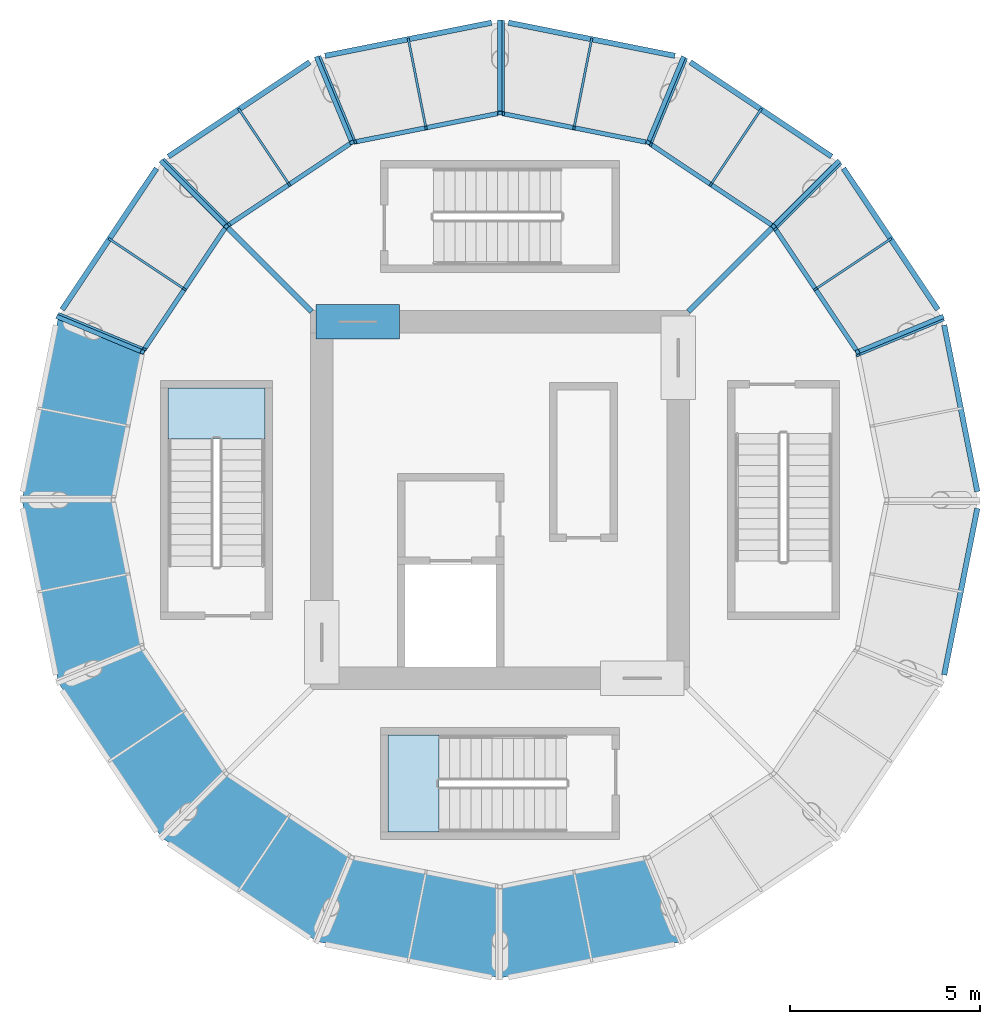
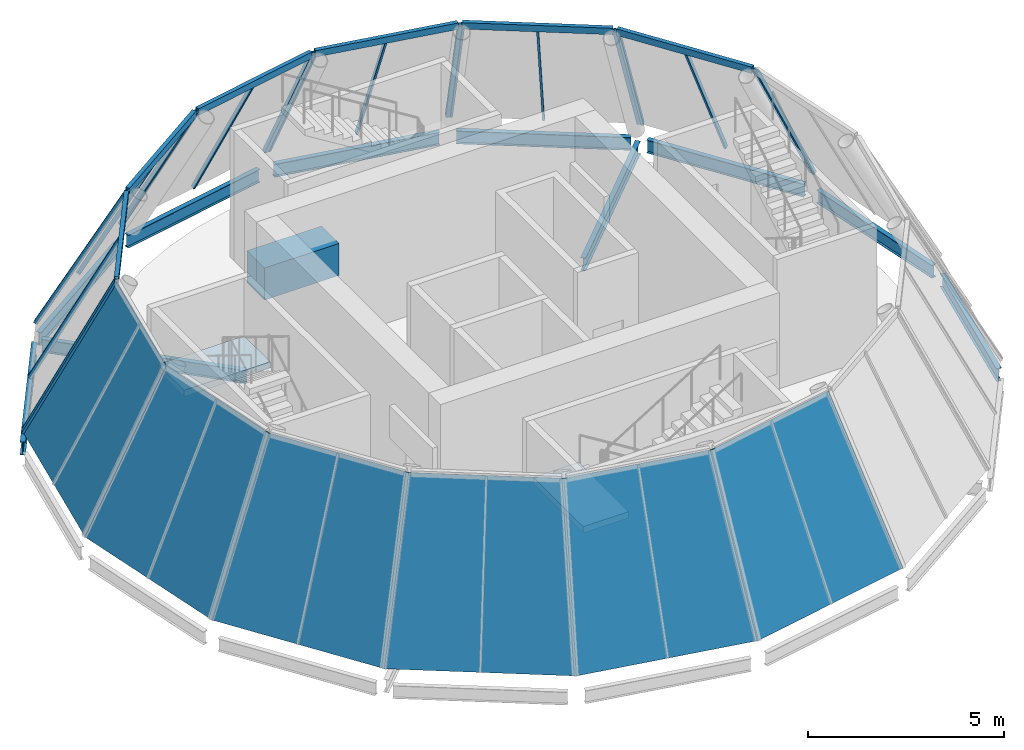
# One storey, part 2 of 5: 26 members, 11 beams, 6 plates, 2 slabs, 15 elements without a shape of their own.
"""IFC4 building model written with IfcOpenShell, lengths in metres."""

from ifc_helpers import new_model, si_unit, direction, frame, origin, origin_2d, place, context, subcontext, project, spatial, polyline, rectangle, hollow_rectangle, i_section, outline, extrude, material, layer, layer_set, material_profile, profile_set, type_object, element, aggregate, save


model = new_model("IFC4")

# Units and contexts
model_context = context("Model", 3, precision=1e-05, world=origin(), true_north=direction((0.0, 1.0)))
body_context = subcontext(model_context, "Body", "Model", "MODEL_VIEW")
ifc_project = project(units=[si_unit("LENGTHUNIT", "METRE"), si_unit("AREAUNIT", "SQUARE_METRE"), si_unit("VOLUMEUNIT", "CUBIC_METRE"), si_unit("PLANEANGLEUNIT", "RADIAN"), si_unit("MASSUNIT", "GRAM", prefix="KILO")], contexts=[model_context])

# Site, building, storey
site_placement = place(None, origin())
site = spatial("IfcSite", under=ifc_project, at=site_placement, CompositionType="ELEMENT")
building_placement = place(site_placement, origin())
building = spatial("IfcBuilding", under=site, at=building_placement, Name="Corvane Civic Tower", CompositionType="ELEMENT")
storey_placement = place(building_placement, frame((0.0, 0.0, 402.0)))
storey = spatial("IfcBuildingStorey", under=building, at=storey_placement, Name="L95", CompositionType="ELEMENT", Elevation=402.0)

# Beam
ifc_material_1 = material(Name="Concrete C40/50", Category="concrete")
ifc_material_profile_1 = material_profile(ifc_material_1, rectangle(XDim=0.89990234375, YDim=1.0, at=origin_2d()), Name="COUPLING BEAM 900X1000")
ifc_profile_set_1 = profile_set([ifc_material_profile_1], Name="Concrete C40/50")
beam_type_1 = type_object("IfcBeamType", Name="COUPLING BEAM COUPLING BEAM 900X1000", PredefinedType="BEAM", material=ifc_profile_set_1)
beam_1_placement = place(storey_placement, frame((-4.85009765625, 4.699951171875, 2.60009765625), z_axis=(1.0, 0.0, 0.0), x_axis=(0.0, 1.0, 0.0)))
element("IfcBeam", 1, at=beam_1_placement, inside=storey, type_object=beam_type_1, Name="BM-L95-cpl-CW-N", PredefinedType="BEAM", context=body_context, shape_type="SweptSolid", body=[
    extrude(rectangle(XDim=0.89990234375, YDim=1.0, at=origin_2d()), origin(), (0.0, 0.0, 1.0), 2.2001953125),
])

# Curtain wall, members
ifc_material_2 = material(Name="Aluminium and glass", Category="aluminium")
curtain_wall_type = type_object("IfcCurtainWallType", Name="CROWN-CW-K-FACET", PredefinedType="NOTDEFINED", material=ifc_material_2)
curtain_wall_1_placement = place(storey_placement, origin())
curtain_wall_1 = element("IfcCurtainWall", 2, at=curtain_wall_1_placement, inside=storey, type_object=curtain_wall_type, Name="Glass cone facet 1 row 4", PredefinedType="NOTDEFINED")
ifc_material_3 = material(Name="Steel ASTM A500 Gr C", Category="steel")
ifc_material_profile_2 = material_profile(ifc_material_3, hollow_rectangle(XDim=0.06005859375, YDim=0.1201171875, WallThickness=0.0048828125, at=origin_2d()), Name="RHS 120x60x5")
ifc_profile_set_2 = profile_set([ifc_material_profile_2], Name="Steel ASTM A500 Gr C")
member_type_1 = type_object("IfcMemberType", Name="CROWN-CWK-MULLION-RHS120x60x5", PredefinedType="MULLION", material=ifc_profile_set_2)
member_1_placement = place(storey_placement, frame((-2.410888671875, 12.12060546875, 0.0), z_axis=(0.090425206579, -0.454625825954, 0.886080493178), x_axis=(0.980787547689, 0.195078923253, 0.0)))
member_1 = element("IfcMember", 3, at=member_1_placement, type_object=member_type_1, Name="Cone mullion 1.4M", PredefinedType="MULLION", context=body_context, shape_type="SweptSolid", body=[
    extrude(hollow_rectangle(XDim=0.06005859375, YDim=0.1201171875, WallThickness=0.0048828125, at=origin_2d()), origin(), (0.0, 0.0, 1.0), 5.07861328125),
])
member_2_placement = place(storey_placement, frame((-4.7333984375, 11.658447265625, 0.0), z_axis=(0.180089902065, -0.434762490844, 0.882354352701), x_axis=(0.923875488976, 0.382693194178, 0.0)))
member_2 = element("IfcMember", 4, at=member_2_placement, type_object=member_type_1, Name="Cone mullion 1.4J", PredefinedType="MULLION", context=body_context, shape_type="SweptSolid", body=[
    extrude(hollow_rectangle(XDim=0.06005859375, YDim=0.1201171875, WallThickness=0.0048828125, at=origin_2d()), origin(), (0.0, 0.0, 1.0), 5.10009765625),
])

curtain_wall_2_placement = place(storey_placement, origin())
curtain_wall_2 = element("IfcCurtainWall", 5, at=curtain_wall_2_placement, inside=storey, type_object=curtain_wall_type, Name="Glass cone facet 2 row 4", PredefinedType="NOTDEFINED")
member_3_placement = place(storey_placement, frame((-6.865478515625, 10.275146484375, 0.0), z_axis=(0.257487616324, -0.385366081489, 0.886111229292), x_axis=(0.831475360289, 0.555561630453, 0.0)))
member_3 = element("IfcMember", 6, at=member_3_placement, type_object=member_type_1, Name="Cone mullion 2.4M", PredefinedType="MULLION", context=body_context, shape_type="SweptSolid", body=[
    extrude(hollow_rectangle(XDim=0.06005859375, YDim=0.1201171875, WallThickness=0.0048828125, at=origin_2d()), origin(), (0.0, 0.0, 1.0), 5.078369140625),
])
member_4_placement = place(storey_placement, frame((-8.834716796875, 8.95947265625, 0.0), z_axis=(0.332750821305, -0.332750821305, 0.882356946956), x_axis=(0.707106781187, 0.707106781187, 0.0)))
member_4 = element("IfcMember", 7, at=member_4_placement, type_object=member_type_1, Name="Cone mullion 2.4J", PredefinedType="MULLION", context=body_context, shape_type="SweptSolid", body=[
    extrude(hollow_rectangle(XDim=0.06005859375, YDim=0.1201171875, WallThickness=0.0048828125, at=origin_2d()), origin(), (0.0, 0.0, 1.0), 5.10009765625),
])

curtain_wall_3_placement = place(storey_placement, origin())
curtain_wall_3 = element("IfcCurtainWall", 8, at=curtain_wall_3_placement, inside=storey, type_object=curtain_wall_type, Name="Glass cone facet 3 row 4", PredefinedType="NOTDEFINED")
member_5_placement = place(storey_placement, frame((-10.275146484375, 6.865478515625, 0.0), z_axis=(0.385366081489, -0.257487616324, 0.886111229292), x_axis=(0.555561630453, 0.831475360289, 0.0)))
member_5 = element("IfcMember", 9, at=member_5_placement, type_object=member_type_1, Name="Cone mullion 3.4M", PredefinedType="MULLION", context=body_context, shape_type="SweptSolid", body=[
    extrude(hollow_rectangle(XDim=0.06005859375, YDim=0.1201171875, WallThickness=0.0048828125, at=origin_2d()), origin(), (0.0, 0.0, 1.0), 5.078369140625),
])
member_6_placement = place(storey_placement, frame((-11.5908203125, 4.896484375, 0.0), z_axis=(0.434766238501, -0.180043583242, 0.882361958605), x_axis=(0.3826063613, 0.923911452626, 0.0)))
member_6 = element("IfcMember", 10, at=member_6_placement, type_object=member_type_1, Name="Cone mullion 3.4J", PredefinedType="MULLION", context=body_context, shape_type="SweptSolid", body=[
    extrude(hollow_rectangle(XDim=0.06005859375, YDim=0.1201171875, WallThickness=0.0048828125, at=origin_2d()), origin(), (0.0, 0.0, 1.0), 5.099853515625),
])

# Curtain wall, member
curtain_wall_4_placement = place(storey_placement, origin())
curtain_wall_4 = element("IfcCurtainWall", 11, at=curtain_wall_4_placement, inside=storey, type_object=curtain_wall_type, Name="Glass cone facet 13 row 4", PredefinedType="NOTDEFINED")
member_7_placement = place(storey_placement, frame((11.658447265625, 4.7333984375, 0.0), z_axis=(-0.434762490844, -0.180089902065, 0.882354352701), x_axis=(0.382693194178, -0.923875488976, 0.0)))
member_7 = element("IfcMember", 12, at=member_7_placement, type_object=member_type_1, Name="Cone mullion 13.4J", PredefinedType="MULLION", context=body_context, shape_type="SweptSolid", body=[
    extrude(hollow_rectangle(XDim=0.06005859375, YDim=0.1201171875, WallThickness=0.0048828125, at=origin_2d()), origin(), (0.0, 0.0, 1.0), 5.10009765625),
])
aggregate(curtain_wall_4, [member_7])

# Curtain wall, members
curtain_wall_5_placement = place(storey_placement, origin())
curtain_wall_5 = element("IfcCurtainWall", 13, at=curtain_wall_5_placement, inside=storey, type_object=curtain_wall_type, Name="Glass cone facet 14 row 4", PredefinedType="NOTDEFINED")
member_8_placement = place(storey_placement, frame((10.275146484375, 6.865478515625, 0.0), z_axis=(-0.385366081489, -0.257487616324, 0.886111229292), x_axis=(0.555561630453, -0.831475360289, 0.0)))
member_8 = element("IfcMember", 14, at=member_8_placement, type_object=member_type_1, Name="Cone mullion 14.4M", PredefinedType="MULLION", context=body_context, shape_type="SweptSolid", body=[
    extrude(hollow_rectangle(XDim=0.06005859375, YDim=0.1201171875, WallThickness=0.0048828125, at=origin_2d()), origin(), (0.0, 0.0, 1.0), 5.078369140625),
])
member_9_placement = place(storey_placement, frame((8.95947265625, 8.834716796875, 0.0), z_axis=(-0.332750821305, -0.332750821305, 0.882356946956), x_axis=(0.707106781187, -0.707106781187, 0.0)))
member_9 = element("IfcMember", 15, at=member_9_placement, type_object=member_type_1, Name="Cone mullion 14.4J", PredefinedType="MULLION", context=body_context, shape_type="SweptSolid", body=[
    extrude(hollow_rectangle(XDim=0.06005859375, YDim=0.1201171875, WallThickness=0.0048828125, at=origin_2d()), origin(), (0.0, 0.0, 1.0), 5.10009765625),
])

curtain_wall_6_placement = place(storey_placement, origin())
curtain_wall_6 = element("IfcCurtainWall", 16, at=curtain_wall_6_placement, inside=storey, type_object=curtain_wall_type, Name="Glass cone facet 15 row 4", PredefinedType="NOTDEFINED")
member_10_placement = place(storey_placement, frame((6.865478515625, 10.275146484375, 0.0), z_axis=(-0.257487616324, -0.385366081489, 0.886111229292), x_axis=(0.831475360289, -0.555561630453, 0.0)))
member_10 = element("IfcMember", 17, at=member_10_placement, type_object=member_type_1, Name="Cone mullion 15.4M", PredefinedType="MULLION", context=body_context, shape_type="SweptSolid", body=[
    extrude(hollow_rectangle(XDim=0.06005859375, YDim=0.1201171875, WallThickness=0.0048828125, at=origin_2d()), origin(), (0.0, 0.0, 1.0), 5.078369140625),
])
member_11_placement = place(storey_placement, frame((4.896484375, 11.5908203125, 0.0), z_axis=(-0.180043583242, -0.434766238501, 0.882361958605), x_axis=(0.923911452626, -0.3826063613, 0.0)))
member_11 = element("IfcMember", 18, at=member_11_placement, type_object=member_type_1, Name="Cone mullion 15.4J", PredefinedType="MULLION", context=body_context, shape_type="SweptSolid", body=[
    extrude(hollow_rectangle(XDim=0.06005859375, YDim=0.1201171875, WallThickness=0.0048828125, at=origin_2d()), origin(), (0.0, 0.0, 1.0), 5.099853515625),
])

curtain_wall_7_placement = place(storey_placement, origin())
curtain_wall_7 = element("IfcCurtainWall", 19, at=curtain_wall_7_placement, inside=storey, type_object=curtain_wall_type, Name="Glass cone facet 16 row 4", PredefinedType="NOTDEFINED")
member_12_placement = place(storey_placement, frame((2.410888671875, 12.12060546875, 0.0), z_axis=(-0.090425206579, -0.454625825954, 0.886080493178), x_axis=(0.980787547689, -0.195078923253, 0.0)))
member_12 = element("IfcMember", 20, at=member_12_placement, type_object=member_type_1, Name="Cone mullion 16.4M", PredefinedType="MULLION", context=body_context, shape_type="SweptSolid", body=[
    extrude(hollow_rectangle(XDim=0.06005859375, YDim=0.1201171875, WallThickness=0.0048828125, at=origin_2d()), origin(), (0.0, 0.0, 1.0), 5.07861328125),
])
member_13_placement = place(storey_placement, frame((0.08837890625, 12.58251953125, 0.0), z_axis=(0.0, -0.470610596591, 0.882341014787), x_axis=(1.0, 0.0, 0.0)))
member_13 = element("IfcMember", 21, at=member_13_placement, type_object=member_type_1, Name="Cone mullion 16.4J", PredefinedType="MULLION", context=body_context, shape_type="SweptSolid", body=[
    extrude(hollow_rectangle(XDim=0.06005859375, YDim=0.1201171875, WallThickness=0.0048828125, at=origin_2d()), origin(), (0.0, 0.0, 1.0), 5.10009765625),
])

# Member
ifc_material_4 = material(Name="Steel ASTM A500 Gr C", Category="steel")
ifc_material_profile_3 = material_profile(ifc_material_4, hollow_rectangle(XDim=0.1201171875, YDim=0.1201171875, WallThickness=0.006103515625, at=origin_2d()), Name="RHS 120x120x6")
ifc_profile_set_3 = profile_set([ifc_material_profile_3], Name="Steel ASTM A500 Gr C")
member_type_2 = type_object("IfcMemberType", Name="CROWN-CWK-RIB-RHS120x120x6", PredefinedType="MULLION", material=ifc_profile_set_3)
member_14_placement = place(storey_placement, frame((0.0, 12.60009765625, 0.0), z_axis=(0.0, -0.470610596591, 0.882341014787), x_axis=(1.0, 0.0, 0.0)))
member_14 = element("IfcMember", 22, at=member_14_placement, type_object=member_type_2, Name="Cone rib 1.4", PredefinedType="MULLION", context=body_context, shape_type="SweptSolid", body=[
    extrude(hollow_rectangle(XDim=0.1201171875, YDim=0.1201171875, WallThickness=0.006103515625, at=origin_2d()), origin(), (0.0, 0.0, 1.0), 5.10009765625),
])

member_15_placement = place(storey_placement, frame((-4.82177734375, 11.640869140625, 0.0), z_axis=(0.180089902065, -0.434762490844, 0.882354352701), x_axis=(0.923875488976, 0.382693194178, 0.0)))
member_15 = element("IfcMember", 23, at=member_15_placement, type_object=member_type_2, Name="Cone rib 2.4", PredefinedType="MULLION", context=body_context, shape_type="SweptSolid", body=[
    extrude(hollow_rectangle(XDim=0.1201171875, YDim=0.1201171875, WallThickness=0.006103515625, at=origin_2d()), origin(), (0.0, 0.0, 1.0), 5.10009765625),
])

member_16_placement = place(storey_placement, frame((-8.909423828125, 8.909423828125, 0.0), z_axis=(0.332750821305, -0.332750821305, 0.882356946956), x_axis=(0.707106781187, 0.707106781187, 0.0)))
member_16 = element("IfcMember", 24, at=member_16_placement, type_object=member_type_2, Name="Cone rib 3.4", PredefinedType="MULLION", context=body_context, shape_type="SweptSolid", body=[
    extrude(hollow_rectangle(XDim=0.1201171875, YDim=0.1201171875, WallThickness=0.006103515625, at=origin_2d()), origin(), (0.0, 0.0, 1.0), 5.10009765625),
])

# Curtain wall, member
curtain_wall_8_placement = place(storey_placement, origin())
curtain_wall_8 = element("IfcCurtainWall", 25, at=curtain_wall_8_placement, inside=storey, type_object=curtain_wall_type, Name="Glass cone facet 4 row 4", PredefinedType="NOTDEFINED")
member_17_placement = place(storey_placement, frame((-11.640869140625, 4.82177734375, 0.0), z_axis=(0.434762490844, -0.180089902065, 0.882354352701), x_axis=(0.382693194178, 0.923875488976, 0.0)))
member_17 = element("IfcMember", 26, at=member_17_placement, type_object=member_type_2, Name="Cone rib 4.4", PredefinedType="MULLION", context=body_context, shape_type="SweptSolid", body=[
    extrude(hollow_rectangle(XDim=0.1201171875, YDim=0.1201171875, WallThickness=0.006103515625, at=origin_2d()), origin(), (0.0, 0.0, 1.0), 5.10009765625),
])

# Member
member_18_placement = place(storey_placement, frame((11.640869140625, 4.82177734375, 0.0), z_axis=(-0.434762490844, -0.180089902065, 0.882354352701), x_axis=(0.382693194178, -0.923875488976, 0.0)))
member_18 = element("IfcMember", 27, at=member_18_placement, type_object=member_type_2, Name="Cone rib 14.4", PredefinedType="MULLION", context=body_context, shape_type="SweptSolid", body=[
    extrude(hollow_rectangle(XDim=0.1201171875, YDim=0.1201171875, WallThickness=0.006103515625, at=origin_2d()), origin(), (0.0, 0.0, 1.0), 5.10009765625),
])

member_19_placement = place(storey_placement, frame((8.909423828125, 8.909423828125, 0.0), z_axis=(-0.332750821305, -0.332750821305, 0.882356946956), x_axis=(0.707106781187, -0.707106781187, 0.0)))
member_19 = element("IfcMember", 28, at=member_19_placement, type_object=member_type_2, Name="Cone rib 15.4", PredefinedType="MULLION", context=body_context, shape_type="SweptSolid", body=[
    extrude(hollow_rectangle(XDim=0.1201171875, YDim=0.1201171875, WallThickness=0.006103515625, at=origin_2d()), origin(), (0.0, 0.0, 1.0), 5.10009765625),
])

member_20_placement = place(storey_placement, frame((4.82177734375, 11.640869140625, 0.0), z_axis=(-0.180089902065, -0.434762490844, 0.882354352701), x_axis=(0.923875488976, -0.382693194178, 0.0)))
member_20 = element("IfcMember", 29, at=member_20_placement, type_object=member_type_2, Name="Cone rib 16.4", PredefinedType="MULLION", context=body_context, shape_type="SweptSolid", body=[
    extrude(hollow_rectangle(XDim=0.1201171875, YDim=0.1201171875, WallThickness=0.006103515625, at=origin_2d()), origin(), (0.0, 0.0, 1.0), 5.10009765625),
])

ifc_material_5 = material(Name="Steel ASTM A500 Gr C", Category="steel")
ifc_material_profile_4 = material_profile(ifc_material_5, hollow_rectangle(XDim=0.1201171875, YDim=0.199951171875, WallThickness=0.006103515625, at=origin_2d()), Name="RHS 200x120x6")
ifc_profile_set_4 = profile_set([ifc_material_profile_4], Name="Steel ASTM A500 Gr C")
member_type_3 = type_object("IfcMemberType", Name="CROWN-CWK-RING-RHS200x120x6", PredefinedType="USERDEFINED", material=ifc_profile_set_4)
member_21_placement = place(storey_placement, frame((-0.058837890625, 10.188232421875, 4.5), z_axis=(-0.980789336667, -0.195069928691, 0.0), x_axis=(0.195069928691, -0.980789336667, 0.0)))
member_21 = element("IfcMember", 30, at=member_21_placement, type_object=member_type_3, Name="Cone ring member 1.4", ObjectType="TRANSOM", PredefinedType="USERDEFINED", context=body_context, shape_type="SweptSolid", body=[
    extrude(hollow_rectangle(XDim=0.1201171875, YDim=0.199951171875, WallThickness=0.006103515625, at=origin_2d()), origin(), (0.0, 0.0, 1.0), 3.85986328125),
])

aggregate(curtain_wall_1, [member_14, member_21, member_1, member_2])

member_22_placement = place(storey_placement, frame((-3.953125, 9.39013671875, 4.5), z_axis=(-0.831466000302, -0.555575638723, 0.0), x_axis=(0.555575638723, -0.831466000302, 0.0)))
member_22 = element("IfcMember", 31, at=member_22_placement, type_object=member_type_3, Name="Cone ring member 2.4", ObjectType="TRANSOM", PredefinedType="USERDEFINED", context=body_context, shape_type="SweptSolid", body=[
    extrude(hollow_rectangle(XDim=0.1201171875, YDim=0.199951171875, WallThickness=0.006103515625, at=origin_2d()), origin(), (0.0, 0.0, 1.0), 3.860107421875),
])

aggregate(curtain_wall_2, [member_15, member_22, member_3, member_4])

member_23_placement = place(storey_placement, frame((-7.24560546875, 7.16259765625, 4.5), z_axis=(-0.555575638723, -0.831466000302, 0.0), x_axis=(0.831466000302, -0.555575638723, 0.0)))
member_23 = element("IfcMember", 32, at=member_23_placement, type_object=member_type_3, Name="Cone ring member 3.4", ObjectType="TRANSOM", PredefinedType="USERDEFINED", context=body_context, shape_type="SweptSolid", body=[
    extrude(hollow_rectangle(XDim=0.1201171875, YDim=0.199951171875, WallThickness=0.006103515625, at=origin_2d()), origin(), (0.0, 0.0, 1.0), 3.860107421875),
])

aggregate(curtain_wall_3, [member_16, member_23, member_5, member_6])

member_24_placement = place(storey_placement, frame((9.39013671875, 3.953125, 4.5), z_axis=(-0.555575638723, 0.831466000302, 0.0), x_axis=(-0.831466000302, -0.555575638723, 0.0)))
member_24 = element("IfcMember", 33, at=member_24_placement, type_object=member_type_3, Name="Cone ring member 14.4", ObjectType="TRANSOM", PredefinedType="USERDEFINED", context=body_context, shape_type="SweptSolid", body=[
    extrude(hollow_rectangle(XDim=0.1201171875, YDim=0.199951171875, WallThickness=0.006103515625, at=origin_2d()), origin(), (0.0, 0.0, 1.0), 3.860107421875),
])

aggregate(curtain_wall_5, [member_18, member_24, member_8, member_9])

member_25_placement = place(storey_placement, frame((7.16259765625, 7.24560546875, 4.5), z_axis=(-0.831466000302, 0.555575638723, 0.0), x_axis=(-0.555575638723, -0.831466000302, 0.0)))
member_25 = element("IfcMember", 34, at=member_25_placement, type_object=member_type_3, Name="Cone ring member 15.4", ObjectType="TRANSOM", PredefinedType="USERDEFINED", context=body_context, shape_type="SweptSolid", body=[
    extrude(hollow_rectangle(XDim=0.1201171875, YDim=0.199951171875, WallThickness=0.006103515625, at=origin_2d()), origin(), (0.0, 0.0, 1.0), 3.860107421875),
])

aggregate(curtain_wall_6, [member_19, member_25, member_10, member_11])

member_26_placement = place(storey_placement, frame((3.844482421875, 9.435302734375, 4.5), z_axis=(-0.980789336667, 0.195069928691, 0.0), x_axis=(-0.195069928691, -0.980789336667, 0.0)))
member_26 = element("IfcMember", 35, at=member_26_placement, type_object=member_type_3, Name="Cone ring member 16.4", ObjectType="TRANSOM", PredefinedType="USERDEFINED", context=body_context, shape_type="SweptSolid", body=[
    extrude(hollow_rectangle(XDim=0.1201171875, YDim=0.199951171875, WallThickness=0.006103515625, at=origin_2d()), origin(), (0.0, 0.0, 1.0), 3.85986328125),
])

aggregate(curtain_wall_7, [member_20, member_26, member_12, member_13])

# Beams
ifc_material_6 = material(Name="Steel ASTM A992 Gr 50", Category="steel")
ifc_material_profile_5 = material_profile(ifc_material_6, i_section(OverallWidth=0.140380859375, OverallDepth=0.40380859375, WebThickness=0.007080078125, FlangeThickness=0.01123046875, at=origin_2d()), Name="W16X31")
ifc_profile_set_5 = profile_set([ifc_material_profile_5], Name="Steel ASTM A992 Gr 50")
beam_type_2 = type_object("IfcBeamType", Name="EDGE BEAM W16X31", PredefinedType="BEAM", material=ifc_profile_set_5)
beam_2_placement = place(storey_placement, frame((0.220703125, 12.582763671875, -0.65185546875), z_axis=(0.980787784913, -0.195077730573, 0.0), x_axis=(0.195077730573, 0.980787784913, 0.0)))
element("IfcBeam", 36, at=beam_2_placement, inside=storey, type_object=beam_type_2, Name="BM-L95-E01", PredefinedType="BEAM", context=body_context, shape_type="SweptSolid", body=[
    extrude(i_section(OverallWidth=0.140380859375, OverallDepth=0.40380859375, WebThickness=0.007080078125, FlangeThickness=0.01123046875, at=origin_2d()), origin(), (0.0, 0.0, 1.0), 4.4765625),
])
for number, where, z_axis, x_axis, name in (
    (37, (5.01904296875, 11.54052734375, -0.65185546875), (0.831487742106, -0.555543098894, 0.0), (0.555543098894, 0.831487742106, 0.0), "BM-L95-E02"),
    (38, (9.053466796875, 8.741455078125, -0.65185546875), (0.555543098894, -0.831487742106, 0.0), (0.831487742106, 0.555543098894, 0.0), "BM-L95-E03"),
):
    element("IfcBeam", number, at=place(storey_placement, frame(where, z_axis=z_axis, x_axis=x_axis)), inside=storey, type_object=beam_type_2, Name=name, PredefinedType="BEAM", context=body_context, shape_type="SweptSolid", body=[
        extrude(i_section(OverallWidth=0.140380859375, OverallDepth=0.40380859375, WebThickness=0.007080078125, FlangeThickness=0.01123046875, at=origin_2d()), origin(), (0.0, 0.0, 1.0), 4.476806640625),
    ])
for number, where, z_axis, x_axis, name in (
    (39, (11.70947265625, 4.611328125, -0.65185546875), (0.195077730573, -0.980787784913, 0.0), (0.980787784913, 0.195077730573, 0.0), "BM-L95-E04"),
    (40, (12.582763671875, -0.220703125, -0.65185546875), (-0.195077730573, -0.980787784913, 0.0), (0.980787784913, -0.195077730573, 0.0), "BM-L95-E05"),
):
    element("IfcBeam", number, at=place(storey_placement, frame(where, z_axis=z_axis, x_axis=x_axis)), inside=storey, type_object=beam_type_2, Name=name, PredefinedType="BEAM", context=body_context, shape_type="SweptSolid", body=[
        extrude(i_section(OverallWidth=0.140380859375, OverallDepth=0.40380859375, WebThickness=0.007080078125, FlangeThickness=0.01123046875, at=origin_2d()), origin(), (0.0, 0.0, 1.0), 4.4765625),
    ])
for number, where, z_axis, x_axis, name in (
    (41, (-11.54052734375, 5.01904296875, -0.65185546875), (0.555543098894, 0.831487742106, 0.0), (-0.831487742106, 0.555543098894, 0.0), "BM-L95-E14"),
    (42, (-8.741455078125, 9.053466796875, -0.65185546875), (0.831487742106, 0.555543098894, 0.0), (-0.555543098894, 0.831487742106, 0.0), "BM-L95-E15"),
):
    element("IfcBeam", number, at=place(storey_placement, frame(where, z_axis=z_axis, x_axis=x_axis)), inside=storey, type_object=beam_type_2, Name=name, PredefinedType="BEAM", context=body_context, shape_type="SweptSolid", body=[
        extrude(i_section(OverallWidth=0.140380859375, OverallDepth=0.40380859375, WebThickness=0.007080078125, FlangeThickness=0.01123046875, at=origin_2d()), origin(), (0.0, 0.0, 1.0), 4.476806640625),
    ])
beam_3_placement = place(storey_placement, frame((-4.611328125, 11.70947265625, -0.65185546875), z_axis=(0.980787784913, 0.195077730573, 0.0), x_axis=(-0.195077730573, 0.980787784913, 0.0)))
element("IfcBeam", 43, at=beam_3_placement, inside=storey, type_object=beam_type_2, Name="BM-L95-E16", PredefinedType="BEAM", context=body_context, shape_type="SweptSolid", body=[
    extrude(i_section(OverallWidth=0.140380859375, OverallDepth=0.40380859375, WebThickness=0.007080078125, FlangeThickness=0.01123046875, at=origin_2d()), origin(), (0.0, 0.0, 1.0), 4.4765625),
])
ifc_material_7 = material(Name="Steel ASTM A992 Gr 50", Category="steel")
ifc_material_profile_6 = material_profile(ifc_material_7, i_section(OverallWidth=0.140380859375, OverallDepth=0.40380859375, WebThickness=0.007080078125, FlangeThickness=0.01123046875, at=origin_2d()), Name="W16X31")
ifc_profile_set_6 = profile_set([ifc_material_profile_6], Name="Steel ASTM A992 Gr 50")
beam_type_3 = type_object("IfcBeamType", Name="FLOOR GIRDER W16X31", PredefinedType="BEAM", material=ifc_profile_set_6)
for number, where, z_axis, x_axis, name in (
    (44, (4.964599609375, 4.964599609375, -0.65185546875), (0.707106781187, 0.707106781187, 0.0), (-0.707106781187, 0.707106781187, 0.0), "BM-L95-G05"),
    (45, (-4.964599609375, 4.964599609375, -0.65185546875), (-0.707106781187, 0.707106781187, 0.0), (-0.707106781187, -0.707106781187, 0.0), "BM-L95-G29"),
):
    element("IfcBeam", number, at=place(storey_placement, frame(where, z_axis=z_axis, x_axis=x_axis)), inside=storey, type_object=beam_type_3, Name=name, PredefinedType="BEAM", context=body_context, shape_type="SweptSolid", body=[
        extrude(i_section(OverallWidth=0.140380859375, OverallDepth=0.40380859375, WebThickness=0.007080078125, FlangeThickness=0.01123046875, at=origin_2d()), origin(), (0.0, 0.0, 1.0), 5.41064453125),
    ])

# Plate
ifc_material_8 = material(Name="Glass tinted low-e laminated", Category="glass")
ifc_layer_1 = layer(ifc_material_8, 0.030029296875)
ifc_layer_set_1 = layer_set([ifc_layer_1], Name="Glass tinted low-e laminated")
plate_type = type_object("IfcPlateType", Name="CROWN-CWK-PANEL-IGU30", PredefinedType="CURTAIN_PANEL", material=ifc_layer_set_1)
plate_1_placement = place(storey_placement, frame((-11.640869140625, 4.82177734375, 0.0), z_axis=(-0.869067789052, 0.172899210369, 0.463494380858), x_axis=(-0.19512157593, -0.980779063086, 4.420688e-06)))
plate_1 = element("IfcPlate", 46, at=plate_1_placement, type_object=plate_type, Name="Cone glass panel 4.4", PredefinedType="CURTAIN_PANEL", context=body_context, shape_type="SweptSolid", body=[
    extrude(outline(polyline([(0.0, 0.0), (4.9162644452562025, -5.551115123125783e-17), (4.448011610959851, 5.0784122066361945), (0.46818314571430203, 5.078456588595548), (0.0, 0.0)])), origin(), (0.0, 0.0, -1.0), 0.030029296875),
])

aggregate(curtain_wall_8, [member_17, plate_1])

# Curtain wall, plate
curtain_wall_9_placement = place(storey_placement, origin())
curtain_wall_9 = element("IfcCurtainWall", 47, at=curtain_wall_9_placement, inside=storey, type_object=curtain_wall_type, Name="Glass cone facet 5 row 4", PredefinedType="NOTDEFINED")
plate_2_placement = place(storey_placement, frame((-12.60009765625, 0.0, 0.0), z_axis=(-0.869062946093, -0.172873929257, 0.463512891203), x_axis=(0.195100848482, -0.980783186478, 6.634058e-06)))
plate_2 = element("IfcPlate", 48, at=plate_2_placement, type_object=plate_type, Name="Cone glass panel 5.4", PredefinedType="CURTAIN_PANEL", context=body_context, shape_type="SweptSolid", body=[
    extrude(outline(polyline([(0.0, 0.0), (4.916264444976267, 0.0), (4.448081299795176, 5.078456588373711), (0.46830046884297855, 5.078523192069519), (0.0, 0.0)])), origin(), (0.0, 0.0, -1.0), 0.030029296875),
])
aggregate(curtain_wall_9, [plate_2])

curtain_wall_10_placement = place(storey_placement, origin())
curtain_wall_10 = element("IfcCurtainWall", 49, at=curtain_wall_10_placement, inside=storey, type_object=curtain_wall_type, Name="Glass cone facet 6 row 4", PredefinedType="NOTDEFINED")
plate_3_placement = place(storey_placement, frame((-11.640869140625, -4.82177734375, 0.0), z_axis=(-0.736749787022, -0.492309451044, 0.463498819563), x_axis=(0.555593039729, -0.831454372894, 4.48339e-07)))
plate_3 = element("IfcPlate", 50, at=plate_3_placement, type_object=plate_type, Name="Cone glass panel 6.4", PredefinedType="CURTAIN_PANEL", context=body_context, shape_type="SweptSolid", body=[
    extrude(outline(polyline([(0.0, 0.0), (4.91626354830362, 2.220446049250313e-16), (4.448122956740347, 5.078445453420645), (0.468255102484905, 5.0784499545976995), (0.0, 0.0)])), origin(), (0.0, 0.0, -1.0), 0.030029296875),
])
aggregate(curtain_wall_10, [plate_3])

curtain_wall_11_placement = place(storey_placement, origin())
curtain_wall_11 = element("IfcCurtainWall", 51, at=curtain_wall_11_placement, inside=storey, type_object=curtain_wall_type, Name="Glass cone facet 7 row 4", PredefinedType="NOTDEFINED")
plate_4_placement = place(storey_placement, frame((-8.909423828125, -8.909423828125, 0.0), z_axis=(-0.492309451044, -0.736749787022, 0.463498819563), x_axis=(0.831454372894, -0.555593039729, -4.48339e-07)))
plate_4 = element("IfcPlate", 52, at=plate_4_placement, type_object=plate_type, Name="Cone glass panel 7.4", PredefinedType="CURTAIN_PANEL", context=body_context, shape_type="SweptSolid", body=[
    extrude(outline(polyline([(0.0, 0.0), (4.91626354830362, -2.220446049250313e-16), (4.448008445818715, 5.0784499545976995), (0.46814059156327315, 5.078445453420645), (0.0, 0.0)])), origin(), (0.0, 0.0, -1.0), 0.030029296875),
])
aggregate(curtain_wall_11, [plate_4])

curtain_wall_12_placement = place(storey_placement, origin())
curtain_wall_12 = element("IfcCurtainWall", 53, at=curtain_wall_12_placement, inside=storey, type_object=curtain_wall_type, Name="Glass cone facet 8 row 4", PredefinedType="NOTDEFINED")
plate_5_placement = place(storey_placement, frame((-4.82177734375, -11.640869140625, 0.0), z_axis=(-0.172899210369, -0.869067789052, 0.463494380858), x_axis=(0.980779063086, -0.19512157593, 4.420688e-06)))
plate_5 = element("IfcPlate", 54, at=plate_5_placement, type_object=plate_type, Name="Cone glass panel 8.4", PredefinedType="CURTAIN_PANEL", context=body_context, shape_type="SweptSolid", body=[
    extrude(outline(polyline([(0.0, 0.0), (4.9162644452562025, -5.551115123125783e-17), (4.448011610959851, 5.0784122066361945), (0.46818314571430203, 5.078456588595548), (0.0, 0.0)])), origin(), (0.0, 0.0, -1.0), 0.030029296875),
])
aggregate(curtain_wall_12, [plate_5])

curtain_wall_13_placement = place(storey_placement, origin())
curtain_wall_13 = element("IfcCurtainWall", 55, at=curtain_wall_13_placement, inside=storey, type_object=curtain_wall_type, Name="Glass cone facet 9 row 4", PredefinedType="NOTDEFINED")
plate_6_placement = place(storey_placement, frame((0.0, -12.60009765625, 0.0), z_axis=(0.172873929257, -0.869062946093, 0.463512891203), x_axis=(0.980783186478, 0.195100848482, 6.634058e-06)))
plate_6 = element("IfcPlate", 56, at=plate_6_placement, type_object=plate_type, Name="Cone glass panel 9.4", PredefinedType="CURTAIN_PANEL", context=body_context, shape_type="SweptSolid", body=[
    extrude(outline(polyline([(0.0, 0.0), (4.916264444976267, 0.0), (4.448081299795176, 5.078456588373711), (0.46830046884297855, 5.078523192069519), (0.0, 0.0)])), origin(), (0.0, 0.0, -1.0), 0.030029296875),
])
aggregate(curtain_wall_13, [plate_6])

# Stair, slab
ifc_material_9 = material(Name="Concrete C40/50", Category="concrete")
stair_type = type_object("IfcStairType", Name="ST-STAIR-HALFTURN", PredefinedType="HALF_TURN_STAIR", material=ifc_material_9)
stair_1_placement = place(storey_placement, origin())
stair_1 = element("IfcStair", 57, at=stair_1_placement, inside=storey, type_object=stair_type, Name="L95 Crown stair CS3", PredefinedType="HALF_TURN_STAIR")
ifc_material_10 = material(Name="Concrete C40/50", Category="concrete")
ifc_layer_2 = layer(ifc_material_10, 0.199951171875)
ifc_layer_set_2 = layer_set([ifc_layer_2], Name="Concrete C40/50")
slab_type = type_object("IfcSlabType", Name="ST-LANDING-RC", PredefinedType="LANDING", material=ifc_layer_set_2)
slab_1_placement = place(storey_placement, frame((0.0, 0.0, 2.050048828125)))
slab_1 = element("IfcSlab", 58, at=slab_1_placement, type_object=slab_type, Name="CS3 landing 1", PredefinedType="LANDING", context=body_context, shape_type="SweptSolid", body=[
    extrude(outline(polyline([(-6.199951171875, 1.610107421875), (-6.199951171875, 2.949951171875), (-8.75, 2.949951171875), (-8.75, 1.610107421875), (-6.199951171875, 1.610107421875)])), origin(), (0.0, 0.0, 1.0), 0.199951171875),
])
aggregate(stair_1, [slab_1])

stair_2_placement = place(storey_placement, origin())
stair_2 = element("IfcStair", 59, at=stair_2_placement, inside=storey, type_object=stair_type, Name="L95 Crown stair CS4", PredefinedType="HALF_TURN_STAIR")
slab_2_placement = place(storey_placement, frame((0.0, 0.0, 2.050048828125)))
slab_2 = element("IfcSlab", 60, at=slab_2_placement, type_object=slab_type, Name="CS4 landing 1", PredefinedType="LANDING", context=body_context, shape_type="SweptSolid", body=[
    extrude(outline(polyline([(-1.610107421875, -6.199951171875), (-2.949951171875, -6.199951171875), (-2.949951171875, -8.75), (-1.610107421875, -8.75), (-1.610107421875, -6.199951171875)])), origin(), (0.0, 0.0, 1.0), 0.199951171875),
])
aggregate(stair_2, [slab_2])

save(model, "model.ifc")
